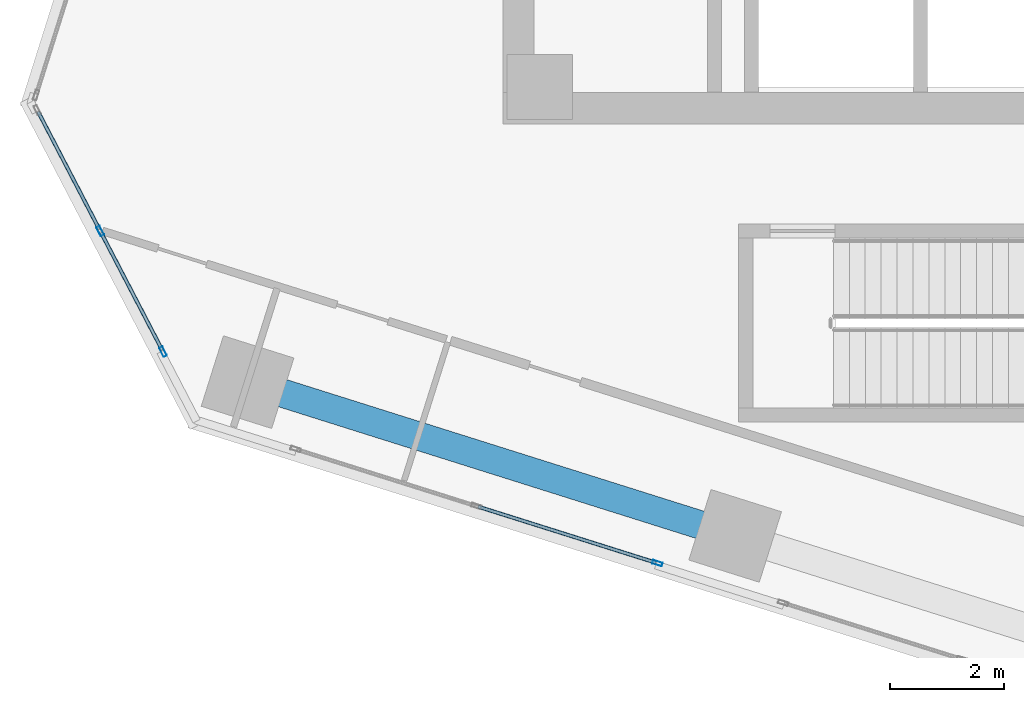
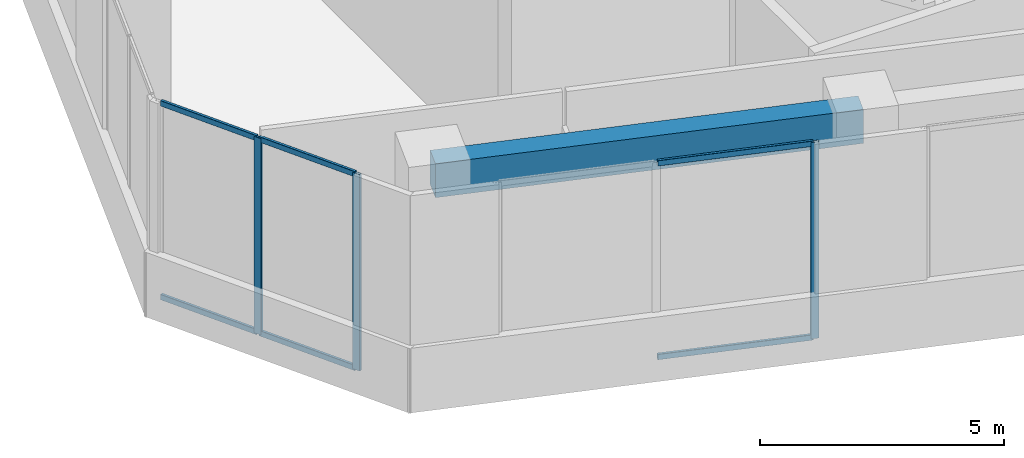
# One storey, part 3 of 28: 9 members, 1 beam, 2 elements without a shape of their own.
"""IFC4 building model written with IfcOpenShell, lengths in metres."""

import ifcopenshell
import ifcopenshell.guid

model = None  # the IFC model being written
_history = None  # IfcOwnerHistory: only IFC2X3 demands one
_inside = {}  # id of a spatial element -> (the spatial element, [elements in it])
_under = {}  # id of a project, library or spatial element -> (it, [spatial elements below it])
_declared = {}  # id of a project -> (the project, [libraries it declares])
_typed = {}  # id of a type object -> (the type object, [elements of that type])
_made_of = {}  # id of a material, layer set ... -> (it, [elements and type objects made of it])


def new_model(schema):
    """Start an empty IFC model of exactly this schema.

    Asked for "IFC4X3", IfcOpenShell would pick the latest addendum, in which some entities
    have other attributes; the version numbers below select the first issue.
    IFC2X3 requires an IfcOwnerHistory on every rooted entity: one is made here for all.
    """
    global model, _history
    if schema == "IFC4X3":
        model = ifcopenshell.file(schema_version=(4, 3, 0, 0))
    else:
        model = ifcopenshell.file(schema=schema)
    _inside.clear()
    _under.clear()
    _declared.clear()
    _typed.clear()
    _made_of.clear()
    _history = None
    if model.schema == "IFC2X3":
        org = make("IfcOrganization", Name="unknown")
        user = make(
            "IfcPersonAndOrganization",
            ThePerson=make("IfcPerson", FamilyName="unknown"),
            TheOrganization=org,
        )
        app = make(
            "IfcApplication",
            ApplicationDeveloper=org,
            Version="unknown",
            ApplicationFullName="unknown",
            ApplicationIdentifier="unknown",
        )
        _history = make(
            "IfcOwnerHistory",
            OwningUser=user,
            OwningApplication=app,
            ChangeAction="ADDED",
            CreationDate=0,
        )
    return model


def make(cls, **values):
    """One entity of the class cls with the attributes given. An attribute that is None is left unset."""
    return model.create_entity(
        cls, **{name: value for name, value in values.items() if value is not None}
    )


def rooted(cls, **values):
    """An entity with a GlobalId (a new one), such as an element, a storey or a relation."""
    return make(cls, GlobalId=ifcopenshell.guid.new(), OwnerHistory=_history, **values)


def si_unit(unit_type, name, prefix=None):
    """IfcSIUnit, for example si_unit("LENGTHUNIT", "METRE", prefix="MILLI")."""
    return make("IfcSIUnit", UnitType=unit_type, Prefix=prefix, Name=name)


def assignment(units):
    """IfcUnitAssignment: the units of a project."""
    return None if units is None else make("IfcUnitAssignment", Units=units)


def point(xyz):
    """IfcCartesianPoint."""
    return None if xyz is None else make("IfcCartesianPoint", Coordinates=xyz)


def direction(xyz):
    """IfcDirection."""
    return None if xyz is None else make("IfcDirection", DirectionRatios=xyz)


def frame(location, z_axis=None, x_axis=None):
    """IfcAxis2Placement3D, a coordinate frame: its origin and axes. An axis left out is left unset."""
    return make(
        "IfcAxis2Placement3D",
        Location=point(location),
        Axis=direction(z_axis),
        RefDirection=direction(x_axis),
    )


def frame_2d(location, x_axis=None):
    """IfcAxis2Placement2D, a coordinate frame in the plane: its origin and x axis."""
    return make(
        "IfcAxis2Placement2D", Location=point(location), RefDirection=direction(x_axis)
    )


def origin():
    """The frame at (0, 0, 0) with its axes left unset."""
    return frame((0.0, 0.0, 0.0))


def origin_2d():
    """The frame at (0, 0) in the plane with its x axis left unset."""
    return frame_2d((0.0, 0.0))


def place(relative_to, where):
    """IfcLocalPlacement: puts the frame where relative to a parent placement (None: the world)."""
    return make(
        "IfcLocalPlacement", PlacementRelTo=relative_to, RelativePlacement=where
    )


def context(
    kind, dimensions, precision=None, world=None, true_north=None, identifier=None
):
    """IfcGeometricRepresentationContext, for example the 3D "Model" context."""
    return make(
        "IfcGeometricRepresentationContext",
        ContextIdentifier=identifier,
        ContextType=kind,
        CoordinateSpaceDimension=dimensions,
        Precision=precision,
        WorldCoordinateSystem=world,
        TrueNorth=true_north,
    )


def subcontext(parent, identifier, kind, view, scale=None):
    """IfcGeometricRepresentationSubContext, for example "Body" below "Model"."""
    return make(
        "IfcGeometricRepresentationSubContext",
        ContextIdentifier=identifier,
        ContextType=kind,
        ParentContext=parent,
        TargetScale=scale,
        TargetView=view,
    )


def project(units=None, contexts=None):
    """IfcProject with its units and contexts."""
    return rooted(
        "IfcProject",
        Name="project",
        RepresentationContexts=contexts,
        UnitsInContext=assignment(units),
    )


def spatial(cls, under=None, at=None, **own):
    """A site, building, storey or space (cls), placed at a placement, below another one or the project."""
    s = rooted(cls, ObjectPlacement=at, **own)
    if under is not None:
        _under.setdefault(under.id(), (under, []))[1].append(s)
    return s


def profile(cls, at=None, kind="AREA", **sizes):
    """A parametric profile (cls). Its sizes go by their IFC names, for example OverallWidth=200.0."""
    return make(cls, ProfileType=kind, Position=at, **sizes)


def rectangle(**sizes):
    """IfcRectangleProfileDef."""
    return profile("IfcRectangleProfileDef", **sizes)


def hollow_rectangle(**sizes):
    """IfcRectangleHollowProfileDef."""
    return profile("IfcRectangleHollowProfileDef", **sizes)


def extrude(swept, where, along, depth):
    """IfcExtrudedAreaSolid: the profile swept, set in the frame where, extruded along a direction by depth."""
    return make(
        "IfcExtrudedAreaSolid",
        SweptArea=swept,
        Position=where,
        ExtrudedDirection=direction(along),
        Depth=depth,
    )


def shape(context_of_items, identifier, shape_type, items):
    """IfcShapeRepresentation: the items that make up one representation, for example the "Body"."""
    return make(
        "IfcShapeRepresentation",
        ContextOfItems=context_of_items,
        RepresentationIdentifier=identifier,
        RepresentationType=shape_type,
        Items=items,
    )


def source(mapping_origin, context_of_items, identifier, shape_type, items):
    """IfcRepresentationMap: a shape defined once, which mapped items show again and again."""
    return make(
        "IfcRepresentationMap",
        MappingOrigin=mapping_origin,
        MappedRepresentation=shape(context_of_items, identifier, shape_type, items),
    )


def transform(
    local_origin,
    x_axis=None,
    y_axis=None,
    z_axis=None,
    scale=None,
    scale2=None,
    scale3=None,
    uniform=True,
):
    """IfcCartesianTransformationOperator3D, or its non-uniform kind. x_axis, y_axis, z_axis: its Axis1, 2, 3."""
    if uniform:
        return make(
            "IfcCartesianTransformationOperator3D",
            Axis1=direction(x_axis),
            Axis2=direction(y_axis),
            LocalOrigin=point(local_origin),
            Scale=scale,
            Axis3=direction(z_axis),
        )
    return make(
        "IfcCartesianTransformationOperator3DnonUniform",
        Axis1=direction(x_axis),
        Axis2=direction(y_axis),
        LocalOrigin=point(local_origin),
        Scale=scale,
        Axis3=direction(z_axis),
        Scale2=scale2,
        Scale3=scale3,
    )


def mapped(mapping_source, mapping_target):
    """IfcMappedItem: shows the shape of a source again, moved by a transform."""
    return make(
        "IfcMappedItem", MappingSource=mapping_source, MappingTarget=mapping_target
    )


def material(Name=None, Category=None):
    """IfcMaterial."""
    return make("IfcMaterial", Name=Name, Category=Category)


def material_profile(
    of_material, cross_section, Name=None, Category=None, Priority=None
):
    """IfcMaterialProfile: a cross section and its material."""
    return make(
        "IfcMaterialProfile",
        Name=Name,
        Material=of_material,
        Profile=cross_section,
        Priority=Priority,
        Category=Category,
    )


def profile_set(profiles, Name=None, composite=None):
    """IfcMaterialProfileSet."""
    return make(
        "IfcMaterialProfileSet",
        Name=Name,
        MaterialProfiles=profiles,
        CompositeProfile=composite,
    )


def made_of(thing, what):
    """Note that an element or type object is made of a material, layer set ...; save() writes the relation."""
    if what is not None:
        _made_of.setdefault(what.id(), (what, []))[1].append(thing)
    return thing


def type_object(cls, material=None, **own):
    """A type object (cls), such as IfcWallType, which elements share."""
    return made_of(rooted(cls, **own), material)


def element(
    cls,
    number,
    at=None,
    inside=None,
    cuts=None,
    type_object=None,
    material=None,
    context=None,
    identifier="Body",
    shape_type=None,
    held_by="IfcProductDefinitionShape",
    body=None,
    shapes=None,
    **own,
):
    """One element of the class cls, such as IfcWall. Its Tag is "e" and its number.

    at: its placement. inside: the storey or other place that contains it. cuts: it is an
    opening in that element (IfcRelVoidsElement). A single representation is given by context,
    identifier, shape_type and body (its items); several are given by shapes. held_by: the class
    of the entity that holds the representations. save() writes the other relations.
    """
    e = rooted(cls, Tag="e%d" % number, ObjectPlacement=at, **own)
    if body is not None:
        shapes = [shape(context, identifier, shape_type, body)]
    if shapes is not None:
        e.Representation = make(held_by, Representations=shapes)
    if inside is not None:
        _inside.setdefault(inside.id(), (inside, []))[1].append(e)
    if cuts is not None:
        rooted(
            "IfcRelVoidsElement", RelatingBuildingElement=cuts, RelatedOpeningElement=e
        )
    if type_object is not None:
        _typed.setdefault(type_object.id(), (type_object, []))[1].append(e)
    return made_of(e, material)


def aggregate(whole, parts):
    """IfcRelAggregates: a whole, such as a stair, and the parts it consists of."""
    return rooted("IfcRelAggregates", RelatingObject=whole, RelatedObjects=parts)


def save(model, path):
    """Write the relations noted so far, then the file.

    IfcRelAggregates (storeys below a building ...), IfcRelContainedInSpatialStructure (elements
    in a storey), IfcRelDefinesByType, IfcRelAssociatesMaterial and IfcRelDeclares: one each for
    every whole, place, type object, material and project.
    """
    for whole, parts in _under.values():
        aggregate(whole, parts)
    for where, things in _inside.values():
        rooted(
            "IfcRelContainedInSpatialStructure",
            RelatedElements=things,
            RelatingStructure=where,
        )
    for kind, things in _typed.values():
        rooted("IfcRelDefinesByType", RelatedObjects=things, RelatingType=kind)
    for what, things in _made_of.values():
        rooted("IfcRelAssociatesMaterial", RelatedObjects=things, RelatingMaterial=what)
    for by, libraries in _declared.values():
        rooted("IfcRelDeclares", RelatingContext=by, RelatedDefinitions=libraries)
    model.write(path)


model = new_model("IFC4")

# Units and contexts
model_context = context("Model", 3, precision=1e-05, world=origin(), true_north=direction((0.0, 1.0)))
body_context = subcontext(model_context, "Body", "Model", "MODEL_VIEW")
ifc_project = project(units=[si_unit("LENGTHUNIT", "METRE"), si_unit("AREAUNIT", "SQUARE_METRE"), si_unit("VOLUMEUNIT", "CUBIC_METRE"), si_unit("PLANEANGLEUNIT", "RADIAN"), si_unit("MASSUNIT", "GRAM", prefix="KILO")], contexts=[model_context])

# Site, building, storey
site_placement = place(None, origin())
site = spatial("IfcSite", under=ifc_project, at=site_placement, CompositionType="ELEMENT")
building_placement = place(site_placement, origin())
building = spatial("IfcBuilding", under=site, at=building_placement, Name="Torre Montelarca", CompositionType="ELEMENT")
storey_placement = place(building_placement, frame((0.0, 0.0, 116.800048828125)))
storey = spatial("IfcBuildingStorey", under=building, at=storey_placement, Name="L26", CompositionType="ELEMENT", Elevation=116.800048828125)

# Beam
ifc_material_1 = material(Name="Concrete C55/67", Category="concrete")
ifc_material_profile_1 = material_profile(ifc_material_1, rectangle(XDim=0.5, YDim=0.85009765625, at=origin_2d()), Name="RCB500X850", Category="concrete")
ifc_profile_set_1 = profile_set([ifc_material_profile_1], Name="Concrete C55/67")
beam_type = type_object("IfcBeamType", Name="BM-SP-RC850-EXT", PredefinedType="SPANDREL", material=ifc_profile_set_1)
shared_shape_1 = source(origin(), body_context, "Body", "SweptSolid", [
    extrude(rectangle(XDim=0.5, YDim=0.85009765625, at=origin_2d()), origin(), (0.0, 0.0, 1.0), 9.0),
])
beam_placement = place(storey_placement, frame((4.406494140625, 19.35498046875, 4.695068359375), z_axis=(0.953711309007, -0.300723692236, 0.0), x_axis=(0.300723692236, 0.953711309007, 0.0)))
element("IfcBeam", 1, at=beam_placement, inside=storey, type_object=beam_type, Name="L26 Grid Girder X 9.0-18.0 at Y=14.8", PredefinedType="SPANDREL", context=body_context, shape_type="MappedRepresentation", body=[
    mapped(shared_shape_1, transform((0.0, 0.0, 0.0), scale=1.0)),
])

# Curtain wall, members
ifc_material_2 = material(Name="Insulated low-E laminated glass", Category="glass")
curtain_wall_type = type_object("IfcCurtainWallType", Name="CW-SYS-Z1", PredefinedType="USERDEFINED", material=ifc_material_2)
curtain_wall_1_placement = place(storey_placement, origin())
curtain_wall_1 = element("IfcCurtainWall", 2, at=curtain_wall_1_placement, inside=storey, type_object=curtain_wall_type, Name="L26 Curtain Wall Run CW-T3-L26-E01-B1", ObjectType="UNITISED GLAZING", PredefinedType="USERDEFINED")
ifc_material_3 = material(Name="Anodised aluminium AA 6063-T6", Category="aluminium")
ifc_material_profile_2 = material_profile(ifc_material_3, hollow_rectangle(XDim=0.06494140625, YDim=0.139892578125, WallThickness=0.00390625, InnerFilletRadius=0.00390625, OuterFilletRadius=0.008056640625, at=origin_2d()), Name="ALU65X140X4", Category="aluminium")
ifc_profile_set_2 = profile_set([ifc_material_profile_2], Name="Anodised aluminium AA 6063-T6")
member_type_1 = type_object("IfcMemberType", Name="CWT-ALU140", PredefinedType="USERDEFINED", material=ifc_profile_set_2)
shared_shape_2 = source(origin(), body_context, "Body", "SweptSolid", [
    extrude(hollow_rectangle(XDim=0.06494140625, YDim=0.139892578125, WallThickness=0.00390625, InnerFilletRadius=0.00390625, OuterFilletRadius=0.008056640625, at=origin_2d()), origin(), (0.0, 0.0, 1.0), 3.2724609375),
])
member_1_placement = place(storey_placement, frame((8.467529296875, 17.162109375, 0.032470703125), z_axis=(0.953733631686, -0.300652889213, 0.0), x_axis=(0.300652889213, 0.953733631686, 0.0)))
member_1 = element("IfcMember", 3, at=member_1_placement, type_object=member_type_1, Name="CW transom 2.1", ObjectType="TRANSOM", PredefinedType="USERDEFINED", context=body_context, shape_type="MappedRepresentation", body=[
    mapped(shared_shape_2, transform((0.0, 0.0, 0.0), scale=1.0)),
])
member_2_placement = place(storey_placement, frame((8.467529296875, 17.162109375, 4.887451171875), z_axis=(0.953733631686, -0.300652889213, 0.0), x_axis=(0.300652889213, 0.953733631686, 0.0)))
member_2 = element("IfcMember", 4, at=member_2_placement, type_object=member_type_1, Name="CW transom 2.2", ObjectType="TRANSOM", PredefinedType="USERDEFINED", context=body_context, shape_type="MappedRepresentation", body=[
    mapped(shared_shape_2, transform((0.0, 0.0, 0.0), scale=1.0)),
])

curtain_wall_2_placement = place(storey_placement, origin())
curtain_wall_2 = element("IfcCurtainWall", 5, at=curtain_wall_2_placement, inside=storey, type_object=curtain_wall_type, Name="L26 Curtain Wall Run CW-T3-L26-E11-B1", ObjectType="UNITISED GLAZING", PredefinedType="USERDEFINED")
shared_shape_3 = source(origin(), body_context, "Body", "SweptSolid", [
    extrude(hollow_rectangle(XDim=0.06494140625, YDim=0.139892578125, WallThickness=0.00390625, InnerFilletRadius=0.00390625, OuterFilletRadius=0.008056640625, at=origin_2d()), origin(), (0.0, 0.0, 1.0), 2.330322265625),
])
member_3_placement = place(storey_placement, frame((1.82763671875, 21.987060546875, 0.032470703125), z_axis=(0.461695758675, -0.887038345519, 0.0), x_axis=(0.887038345519, 0.461695758675, 0.0)))
member_3 = element("IfcMember", 6, at=member_3_placement, type_object=member_type_1, Name="CW transom 2.1", ObjectType="TRANSOM", PredefinedType="USERDEFINED", context=body_context, shape_type="MappedRepresentation", body=[
    mapped(shared_shape_3, transform((0.0, 0.0, 0.0), scale=1.0)),
])
member_4_placement = place(storey_placement, frame((1.82763671875, 21.987060546875, 4.887451171875), z_axis=(0.461695758675, -0.887038345519, 0.0), x_axis=(0.887038345519, 0.461695758675, 0.0)))
member_4 = element("IfcMember", 7, at=member_4_placement, type_object=member_type_1, Name="CW transom 2.2", ObjectType="TRANSOM", PredefinedType="USERDEFINED", context=body_context, shape_type="MappedRepresentation", body=[
    mapped(shared_shape_3, transform((0.0, 0.0, 0.0), scale=1.0)),
])
shared_shape_4 = source(origin(), body_context, "Body", "SweptSolid", [
    extrude(hollow_rectangle(XDim=0.06494140625, YDim=0.139892578125, WallThickness=0.00390625, InnerFilletRadius=0.00390625, OuterFilletRadius=0.008056640625, at=origin_2d()), origin(), (0.0, 0.0, 1.0), 2.330810546875),
])
member_5_placement = place(storey_placement, frame((0.721435546875, 24.112060546875, 0.032470703125), z_axis=(0.461735279655, -0.887017774073, 0.0), x_axis=(0.887017774073, 0.461735279655, 0.0)))
member_5 = element("IfcMember", 8, at=member_5_placement, type_object=member_type_1, Name="CW transom 1.1", ObjectType="TRANSOM", PredefinedType="USERDEFINED", context=body_context, shape_type="MappedRepresentation", body=[
    mapped(shared_shape_4, transform((0.0, 0.0, 0.0), scale=1.0)),
])
member_6_placement = place(storey_placement, frame((0.721435546875, 24.112060546875, 4.887451171875), z_axis=(0.461735279655, -0.887017774073, 0.0), x_axis=(0.887017774073, 0.461735279655, 0.0)))
member_6 = element("IfcMember", 9, at=member_6_placement, type_object=member_type_1, Name="CW transom 1.2", ObjectType="TRANSOM", PredefinedType="USERDEFINED", context=body_context, shape_type="MappedRepresentation", body=[
    mapped(shared_shape_4, transform((0.0, 0.0, 0.0), scale=1.0)),
])

# Member
ifc_material_profile_3 = material_profile(ifc_material_3, hollow_rectangle(XDim=0.06494140625, YDim=0.179931640625, WallThickness=0.00390625, InnerFilletRadius=0.00390625, OuterFilletRadius=0.008056640625, at=origin_2d()), Name="ALU65X180X4", Category="aluminium")
ifc_profile_set_3 = profile_set([ifc_material_profile_3], Name="Anodised aluminium AA 6063-T6")
member_type_2 = type_object("IfcMemberType", Name="CWM-ALU180", PredefinedType="MULLION", material=ifc_profile_set_3)
shared_shape_5 = source(origin(), body_context, "Body", "SweptSolid", [
    extrude(hollow_rectangle(XDim=0.06494140625, YDim=0.179931640625, WallThickness=0.00390625, InnerFilletRadius=0.00390625, OuterFilletRadius=0.008056640625, at=origin_2d()), origin(), (0.0, 0.0, 1.0), 4.919921875),
])
member_7_placement = place(storey_placement, frame((11.61962890625, 16.16845703125, 0.0), z_axis=(0.0, 0.0, 1.0), x_axis=(0.300709558589, 0.953715765505, 0.0)))
member_7 = element("IfcMember", 10, at=member_7_placement, type_object=member_type_2, Name="CW mullion 3", PredefinedType="MULLION", context=body_context, shape_type="MappedRepresentation", body=[
    mapped(shared_shape_5, transform((0.0, 0.0, 0.0), scale=1.0)),
])

aggregate(curtain_wall_1, [member_7, member_1, member_2])

member_8_placement = place(storey_placement, frame((1.8125, 22.015869140625, 0.0), z_axis=(0.0, 0.0, 1.0), x_axis=(0.88701003306, 0.461750150245, 0.0)))
member_8 = element("IfcMember", 11, at=member_8_placement, type_object=member_type_2, Name="CW mullion 2", PredefinedType="MULLION", context=body_context, shape_type="MappedRepresentation", body=[
    mapped(shared_shape_5, transform((0.0, 0.0, 0.0), scale=1.0)),
])

member_9_placement = place(storey_placement, frame((2.918701171875, 19.89111328125, 0.0), z_axis=(0.0, 0.0, 1.0), x_axis=(0.88701003306, 0.461750150245, 0.0)))
member_9 = element("IfcMember", 12, at=member_9_placement, type_object=member_type_2, Name="CW mullion 3", PredefinedType="MULLION", context=body_context, shape_type="MappedRepresentation", body=[
    mapped(shared_shape_5, transform((0.0, 0.0, 0.0), scale=1.0)),
])

aggregate(curtain_wall_2, [member_8, member_9, member_5, member_6, member_3, member_4])

save(model, "model.ifc")
